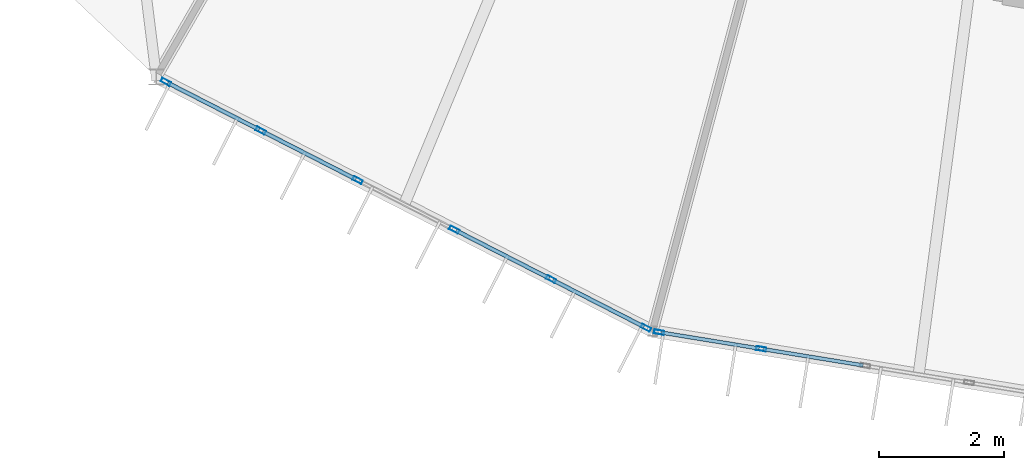
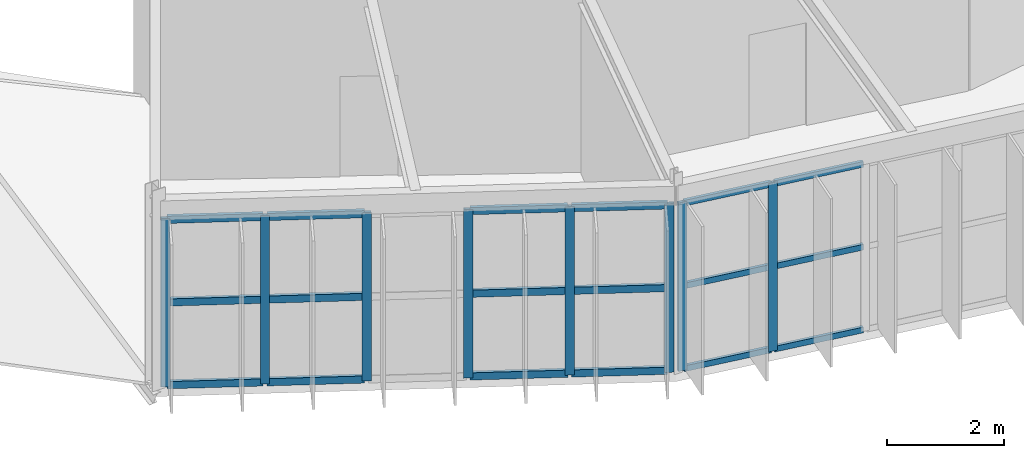
# One storey, part 17 of 106: 26 members, 2 elements without a shape of their own.
"""IFC4 building model written with IfcOpenShell, lengths in metres."""

from ifc_helpers import new_model, si_unit, direction, frame, origin, origin_2d, place, context, subcontext, project, spatial, hollow_rectangle, extrude, material, material_profile, profile_set, type_object, element, aggregate, save


model = new_model("IFC4")

# Units and contexts
model_context = context("Model", 3, precision=1e-05, world=origin(), true_north=direction((0.0, 1.0)))
body_context = subcontext(model_context, "Body", "Model", "MODEL_VIEW")
ifc_project = project(units=[si_unit("LENGTHUNIT", "METRE"), si_unit("AREAUNIT", "SQUARE_METRE"), si_unit("VOLUMEUNIT", "CUBIC_METRE"), si_unit("PLANEANGLEUNIT", "RADIAN"), si_unit("MASSUNIT", "GRAM", prefix="KILO")], contexts=[model_context])

# Site, building, storey
site_placement = place(None, origin())
site = spatial("IfcSite", under=ifc_project, at=site_placement, CompositionType="ELEMENT")
building_placement = place(site_placement, origin())
building = spatial("IfcBuilding", under=site, at=building_placement, Name="Karori Crest Natural Sciences Institute", CompositionType="ELEMENT")
storey_placement = place(building_placement, frame((0.0, 0.0, 25.89990234375)))
storey = spatial("IfcBuildingStorey", under=building, at=storey_placement, Name="L06", CompositionType="ELEMENT", Elevation=25.89990234375)

# Curtain wall, members
ifc_material = material(Name="Anodised architectural aluminium 6063-T6", Category="aluminium")
curtain_wall_type_1 = type_object("IfcCurtainWallType", Name="CWT-07", PredefinedType="NOTDEFINED", material=ifc_material)
curtain_wall_1_placement = place(storey_placement, origin())
curtain_wall_1 = element("IfcCurtainWall", 1, at=curtain_wall_1_placement, inside=storey, type_object=curtain_wall_type_1, Name="Curtain wall CW-0208", PredefinedType="NOTDEFINED")
ifc_material_profile_1 = material_profile(ifc_material, hollow_rectangle(XDim=0.06494140625, YDim=0.159912109375, WallThickness=0.00390625, at=origin_2d()), Name="CWM160x65x4")
ifc_profile_set_1 = profile_set([ifc_material_profile_1], Name="Anodised architectural aluminium 6063-T6")
member_type_1 = type_object("IfcMemberType", Name="CWM-01", PredefinedType="MULLION", material=ifc_profile_set_1)
member_1_placement = place(storey_placement, frame((57.7548828125, 10.54345703125, 0.0), z_axis=(0.0, 0.0, 1.0), x_axis=(-0.455828878252, -0.890067432138, 0.0)))
member_1 = element("IfcMember", 2, at=member_1_placement, type_object=member_type_1, Name="CW-0208 mullion 1", PredefinedType="MULLION", context=body_context, shape_type="SweptSolid", body=[
    extrude(hollow_rectangle(XDim=0.06494140625, YDim=0.159912109375, WallThickness=0.00390625, at=origin_2d()), origin(), (0.0, 0.0, 1.0), 3.525146484375),
])
member_2_placement = place(storey_placement, frame((56.232177734375, 11.323486328125, 0.0), z_axis=(0.0, 0.0, 1.0), x_axis=(-0.455828878252, -0.890067432138, 0.0)))
member_2 = element("IfcMember", 3, at=member_2_placement, type_object=member_type_1, Name="CW-0208 mullion 2", PredefinedType="MULLION", context=body_context, shape_type="SweptSolid", body=[
    extrude(hollow_rectangle(XDim=0.06494140625, YDim=0.159912109375, WallThickness=0.00390625, at=origin_2d()), origin(), (0.0, 0.0, 1.0), 3.525146484375),
])
member_3_placement = place(storey_placement, frame((54.680419921875, 12.1181640625, 0.0), z_axis=(0.0, 0.0, 1.0), x_axis=(-0.455828878252, -0.890067432138, 0.0)))
member_3 = element("IfcMember", 4, at=member_3_placement, type_object=member_type_1, Name="CW-0208 mullion 3", PredefinedType="MULLION", context=body_context, shape_type="SweptSolid", body=[
    extrude(hollow_rectangle(XDim=0.06494140625, YDim=0.159912109375, WallThickness=0.00390625, at=origin_2d()), origin(), (0.0, 0.0, 1.0), 3.525146484375),
])
member_4_placement = place(storey_placement, frame((53.128662109375, 12.912841796875, 0.0), z_axis=(0.0, 0.0, 1.0), x_axis=(-0.455828878252, -0.890067432138, 0.0)))
member_4 = element("IfcMember", 5, at=member_4_placement, type_object=member_type_1, Name="CW-0208 mullion 4", PredefinedType="MULLION", context=body_context, shape_type="SweptSolid", body=[
    extrude(hollow_rectangle(XDim=0.06494140625, YDim=0.159912109375, WallThickness=0.00390625, at=origin_2d()), origin(), (0.0, 0.0, 1.0), 3.525146484375),
])
member_5_placement = place(storey_placement, frame((51.576904296875, 13.70751953125, 0.0), z_axis=(0.0, 0.0, 1.0), x_axis=(-0.455828878252, -0.890067432138, 0.0)))
member_5 = element("IfcMember", 6, at=member_5_placement, type_object=member_type_1, Name="CW-0208 mullion 5", PredefinedType="MULLION", context=body_context, shape_type="SweptSolid", body=[
    extrude(hollow_rectangle(XDim=0.06494140625, YDim=0.159912109375, WallThickness=0.00390625, at=origin_2d()), origin(), (0.0, 0.0, 1.0), 3.525146484375),
])
member_6_placement = place(storey_placement, frame((50.05419921875, 14.4873046875, 0.0), z_axis=(0.0, 0.0, 1.0), x_axis=(-0.455828878252, -0.890067432138, 0.0)))
member_6 = element("IfcMember", 7, at=member_6_placement, type_object=member_type_1, Name="CW-0208 mullion 6", PredefinedType="MULLION", context=body_context, shape_type="SweptSolid", body=[
    extrude(hollow_rectangle(XDim=0.06494140625, YDim=0.159912109375, WallThickness=0.00390625, at=origin_2d()), origin(), (0.0, 0.0, 1.0), 3.525146484375),
])

curtain_wall_type_2 = type_object("IfcCurtainWallType", Name="CWT-08", PredefinedType="NOTDEFINED", material=ifc_material)
curtain_wall_2_placement = place(storey_placement, origin())
curtain_wall_2 = element("IfcCurtainWall", 8, at=curtain_wall_2_placement, inside=storey, type_object=curtain_wall_type_2, Name="Curtain wall CW-0210", PredefinedType="NOTDEFINED")
member_7_placement = place(storey_placement, frame((59.60205078125, 10.20654296875, 0.0), z_axis=(0.0, 0.0, 1.0), x_axis=(-0.160655493101, -0.987010543275, 0.0)))
member_7 = element("IfcMember", 9, at=member_7_placement, type_object=member_type_1, Name="CW-0210 mullion 5", PredefinedType="MULLION", context=body_context, shape_type="SweptSolid", body=[
    extrude(hollow_rectangle(XDim=0.06494140625, YDim=0.159912109375, WallThickness=0.00390625, at=origin_2d()), origin(), (0.0, 0.0, 1.0), 3.525146484375),
])
member_8_placement = place(storey_placement, frame((57.966064453125, 10.472900390625, 0.0), z_axis=(0.0, 0.0, 1.0), x_axis=(-0.160655493101, -0.987010543275, 0.0)))
member_8 = element("IfcMember", 10, at=member_8_placement, type_object=member_type_1, Name="CW-0210 mullion 6", PredefinedType="MULLION", context=body_context, shape_type="SweptSolid", body=[
    extrude(hollow_rectangle(XDim=0.06494140625, YDim=0.159912109375, WallThickness=0.00390625, at=origin_2d()), origin(), (0.0, 0.0, 1.0), 3.525146484375),
])
ifc_material_profile_2 = material_profile(ifc_material, hollow_rectangle(XDim=0.06005859375, YDim=0.1201171875, WallThickness=0.00390625, at=origin_2d()), Name="CWT120x60x4")
ifc_profile_set_2 = profile_set([ifc_material_profile_2], Name="Anodised architectural aluminium 6063-T6")
member_type_2 = type_object("IfcMemberType", Name="CWT-TR1", PredefinedType="USERDEFINED", material=ifc_profile_set_2)
member_9_placement = place(storey_placement, frame((61.238037109375, 9.940185546875, 0.030029296875), z_axis=(-0.987020010371, 0.1605973198, 0.0), x_axis=(-0.1605973198, -0.987020010371, 0.0)))
member_9 = element("IfcMember", 11, at=member_9_placement, type_object=member_type_2, Name="CW-0210 transom 4.1", ObjectType="TRANSOM", PredefinedType="USERDEFINED", context=body_context, shape_type="SweptSolid", body=[
    extrude(hollow_rectangle(XDim=0.06005859375, YDim=0.1201171875, WallThickness=0.00390625, at=origin_2d()), origin(), (0.0, 0.0, 1.0), 1.625),
])
member_10_placement = place(storey_placement, frame((61.238037109375, 9.940185546875, 1.7626953125), z_axis=(-0.987020010371, 0.1605973198, 0.0), x_axis=(-0.1605973198, -0.987020010371, 0.0)))
member_10 = element("IfcMember", 12, at=member_10_placement, type_object=member_type_2, Name="CW-0210 transom 4.2", ObjectType="TRANSOM", PredefinedType="USERDEFINED", context=body_context, shape_type="SweptSolid", body=[
    extrude(hollow_rectangle(XDim=0.06005859375, YDim=0.1201171875, WallThickness=0.00390625, at=origin_2d()), origin(), (0.0, 0.0, 1.0), 1.625),
])
member_11_placement = place(storey_placement, frame((61.238037109375, 9.940185546875, 3.4951171875), z_axis=(-0.987020010371, 0.1605973198, 0.0), x_axis=(-0.1605973198, -0.987020010371, 0.0)))
member_11 = element("IfcMember", 13, at=member_11_placement, type_object=member_type_2, Name="CW-0210 transom 4.3", ObjectType="TRANSOM", PredefinedType="USERDEFINED", context=body_context, shape_type="SweptSolid", body=[
    extrude(hollow_rectangle(XDim=0.06005859375, YDim=0.1201171875, WallThickness=0.00390625, at=origin_2d()), origin(), (0.0, 0.0, 1.0), 1.625),
])
member_12_placement = place(storey_placement, frame((59.56982421875, 10.211669921875, 0.030029296875), z_axis=(-0.987008400747, 0.16066865548, 0.0), x_axis=(-0.16066865548, -0.987008400747, 0.0)))
member_12 = element("IfcMember", 14, at=member_12_placement, type_object=member_type_2, Name="CW-0210 transom 5.1", ObjectType="TRANSOM", PredefinedType="USERDEFINED", context=body_context, shape_type="SweptSolid", body=[
    extrude(hollow_rectangle(XDim=0.06005859375, YDim=0.1201171875, WallThickness=0.00390625, at=origin_2d()), origin(), (0.0, 0.0, 1.0), 1.592529296875),
])
member_13_placement = place(storey_placement, frame((59.56982421875, 10.211669921875, 1.7626953125), z_axis=(-0.987008400747, 0.16066865548, 0.0), x_axis=(-0.16066865548, -0.987008400747, 0.0)))
member_13 = element("IfcMember", 15, at=member_13_placement, type_object=member_type_2, Name="CW-0210 transom 5.2", ObjectType="TRANSOM", PredefinedType="USERDEFINED", context=body_context, shape_type="SweptSolid", body=[
    extrude(hollow_rectangle(XDim=0.06005859375, YDim=0.1201171875, WallThickness=0.00390625, at=origin_2d()), origin(), (0.0, 0.0, 1.0), 1.592529296875),
])
member_14_placement = place(storey_placement, frame((59.56982421875, 10.211669921875, 3.4951171875), z_axis=(-0.987008400747, 0.16066865548, 0.0), x_axis=(-0.16066865548, -0.987008400747, 0.0)))
member_14 = element("IfcMember", 16, at=member_14_placement, type_object=member_type_2, Name="CW-0210 transom 5.3", ObjectType="TRANSOM", PredefinedType="USERDEFINED", context=body_context, shape_type="SweptSolid", body=[
    extrude(hollow_rectangle(XDim=0.06005859375, YDim=0.1201171875, WallThickness=0.00390625, at=origin_2d()), origin(), (0.0, 0.0, 1.0), 1.592529296875),
])
aggregate(curtain_wall_2, [member_7, member_8, member_9, member_10, member_11, member_12, member_13, member_14])

# Member
ifc_material_profile_3 = material_profile(ifc_material, hollow_rectangle(XDim=0.06494140625, YDim=0.14990234375, WallThickness=0.00390625, at=origin_2d()), Name="CWT150x65x4")
ifc_profile_set_3 = profile_set([ifc_material_profile_3], Name="Anodised architectural aluminium 6063-T6")
member_type_3 = type_object("IfcMemberType", Name="CWT-TR2", PredefinedType="USERDEFINED", material=ifc_profile_set_3)
member_15_placement = place(storey_placement, frame((57.725830078125, 10.558349609375, 0.03271484375), z_axis=(-0.890053640935, 0.455855806432, 0.0), x_axis=(-0.455855806432, -0.890053640935, 0.0)))
member_15 = element("IfcMember", 17, at=member_15_placement, type_object=member_type_3, Name="CW-0208 transom 1.1", ObjectType="TRANSOM", PredefinedType="USERDEFINED", context=body_context, shape_type="SweptSolid", body=[
    extrude(hollow_rectangle(XDim=0.06494140625, YDim=0.14990234375, WallThickness=0.00390625, at=origin_2d()), origin(), (0.0, 0.0, 1.0), 1.645751953125),
])

member_16_placement = place(storey_placement, frame((57.725830078125, 10.558349609375, 1.7626953125), z_axis=(-0.890053640935, 0.455855806432, 0.0), x_axis=(-0.455855806432, -0.890053640935, 0.0)))
member_16 = element("IfcMember", 18, at=member_16_placement, type_object=member_type_3, Name="CW-0208 transom 1.2", ObjectType="TRANSOM", PredefinedType="USERDEFINED", context=body_context, shape_type="SweptSolid", body=[
    extrude(hollow_rectangle(XDim=0.06494140625, YDim=0.14990234375, WallThickness=0.00390625, at=origin_2d()), origin(), (0.0, 0.0, 1.0), 1.645751953125),
])

member_17_placement = place(storey_placement, frame((57.725830078125, 10.558349609375, 3.49267578125), z_axis=(-0.890053640935, 0.455855806432, 0.0), x_axis=(-0.455855806432, -0.890053640935, 0.0)))
member_17 = element("IfcMember", 19, at=member_17_placement, type_object=member_type_3, Name="CW-0208 transom 1.3", ObjectType="TRANSOM", PredefinedType="USERDEFINED", context=body_context, shape_type="SweptSolid", body=[
    extrude(hollow_rectangle(XDim=0.06494140625, YDim=0.14990234375, WallThickness=0.00390625, at=origin_2d()), origin(), (0.0, 0.0, 1.0), 1.645751953125),
])

member_18_placement = place(storey_placement, frame((56.203125, 11.338134765625, 0.03271484375), z_axis=(-0.890050562189, 0.455861817601, 0.0), x_axis=(-0.455861817601, -0.890050562189, 0.0)))
member_18 = element("IfcMember", 20, at=member_18_placement, type_object=member_type_3, Name="CW-0208 transom 2.1", ObjectType="TRANSOM", PredefinedType="USERDEFINED", context=body_context, shape_type="SweptSolid", body=[
    extrude(hollow_rectangle(XDim=0.06494140625, YDim=0.14990234375, WallThickness=0.00390625, at=origin_2d()), origin(), (0.0, 0.0, 1.0), 1.678466796875),
])

member_19_placement = place(storey_placement, frame((56.203125, 11.338134765625, 1.7626953125), z_axis=(-0.890050562189, 0.455861817601, 0.0), x_axis=(-0.455861817601, -0.890050562189, 0.0)))
member_19 = element("IfcMember", 21, at=member_19_placement, type_object=member_type_3, Name="CW-0208 transom 2.2", ObjectType="TRANSOM", PredefinedType="USERDEFINED", context=body_context, shape_type="SweptSolid", body=[
    extrude(hollow_rectangle(XDim=0.06494140625, YDim=0.14990234375, WallThickness=0.00390625, at=origin_2d()), origin(), (0.0, 0.0, 1.0), 1.678466796875),
])

member_20_placement = place(storey_placement, frame((56.203125, 11.338134765625, 3.49267578125), z_axis=(-0.890050562189, 0.455861817601, 0.0), x_axis=(-0.455861817601, -0.890050562189, 0.0)))
member_20 = element("IfcMember", 22, at=member_20_placement, type_object=member_type_3, Name="CW-0208 transom 2.3", ObjectType="TRANSOM", PredefinedType="USERDEFINED", context=body_context, shape_type="SweptSolid", body=[
    extrude(hollow_rectangle(XDim=0.06494140625, YDim=0.14990234375, WallThickness=0.00390625, at=origin_2d()), origin(), (0.0, 0.0, 1.0), 1.678466796875),
])

member_21_placement = place(storey_placement, frame((53.099609375, 12.927490234375, 0.03271484375), z_axis=(-0.890020328927, 0.455920841919, 0.0), x_axis=(-0.455920841919, -0.890020328927, 0.0)))
member_21 = element("IfcMember", 23, at=member_21_placement, type_object=member_type_3, Name="CW-0208 transom 4.1", ObjectType="TRANSOM", PredefinedType="USERDEFINED", context=body_context, shape_type="SweptSolid", body=[
    extrude(hollow_rectangle(XDim=0.06494140625, YDim=0.14990234375, WallThickness=0.00390625, at=origin_2d()), origin(), (0.0, 0.0, 1.0), 1.67822265625),
])

member_22_placement = place(storey_placement, frame((53.099609375, 12.927490234375, 1.7626953125), z_axis=(-0.890020328927, 0.455920841919, 0.0), x_axis=(-0.455920841919, -0.890020328927, 0.0)))
member_22 = element("IfcMember", 24, at=member_22_placement, type_object=member_type_3, Name="CW-0208 transom 4.2", ObjectType="TRANSOM", PredefinedType="USERDEFINED", context=body_context, shape_type="SweptSolid", body=[
    extrude(hollow_rectangle(XDim=0.06494140625, YDim=0.14990234375, WallThickness=0.00390625, at=origin_2d()), origin(), (0.0, 0.0, 1.0), 1.67822265625),
])

member_23_placement = place(storey_placement, frame((53.099609375, 12.927490234375, 3.49267578125), z_axis=(-0.890020328927, 0.455920841919, 0.0), x_axis=(-0.455920841919, -0.890020328927, 0.0)))
member_23 = element("IfcMember", 25, at=member_23_placement, type_object=member_type_3, Name="CW-0208 transom 4.3", ObjectType="TRANSOM", PredefinedType="USERDEFINED", context=body_context, shape_type="SweptSolid", body=[
    extrude(hollow_rectangle(XDim=0.06494140625, YDim=0.14990234375, WallThickness=0.00390625, at=origin_2d()), origin(), (0.0, 0.0, 1.0), 1.67822265625),
])

member_24_placement = place(storey_placement, frame((51.548095703125, 13.72216796875, 0.03271484375), z_axis=(-0.890084461025, 0.455795625518, 0.0), x_axis=(-0.455795625518, -0.890084461025, 0.0)))
member_24 = element("IfcMember", 26, at=member_24_placement, type_object=member_type_3, Name="CW-0208 transom 5.1", ObjectType="TRANSOM", PredefinedType="USERDEFINED", context=body_context, shape_type="SweptSolid", body=[
    extrude(hollow_rectangle(XDim=0.06494140625, YDim=0.14990234375, WallThickness=0.00390625, at=origin_2d()), origin(), (0.0, 0.0, 1.0), 1.64599609375),
])

member_25_placement = place(storey_placement, frame((51.548095703125, 13.72216796875, 1.7626953125), z_axis=(-0.890084461025, 0.455795625518, 0.0), x_axis=(-0.455795625518, -0.890084461025, 0.0)))
member_25 = element("IfcMember", 27, at=member_25_placement, type_object=member_type_3, Name="CW-0208 transom 5.2", ObjectType="TRANSOM", PredefinedType="USERDEFINED", context=body_context, shape_type="SweptSolid", body=[
    extrude(hollow_rectangle(XDim=0.06494140625, YDim=0.14990234375, WallThickness=0.00390625, at=origin_2d()), origin(), (0.0, 0.0, 1.0), 1.64599609375),
])

member_26_placement = place(storey_placement, frame((51.548095703125, 13.72216796875, 3.49267578125), z_axis=(-0.890084461025, 0.455795625518, 0.0), x_axis=(-0.455795625518, -0.890084461025, 0.0)))
member_26 = element("IfcMember", 28, at=member_26_placement, type_object=member_type_3, Name="CW-0208 transom 5.3", ObjectType="TRANSOM", PredefinedType="USERDEFINED", context=body_context, shape_type="SweptSolid", body=[
    extrude(hollow_rectangle(XDim=0.06494140625, YDim=0.14990234375, WallThickness=0.00390625, at=origin_2d()), origin(), (0.0, 0.0, 1.0), 1.64599609375),
])

aggregate(curtain_wall_1, [member_1, member_2, member_3, member_4, member_5, member_6, member_15, member_16, member_17, member_18, member_19, member_20, member_21, member_22, member_23, member_24, member_25, member_26])

save(model, "model.ifc")
